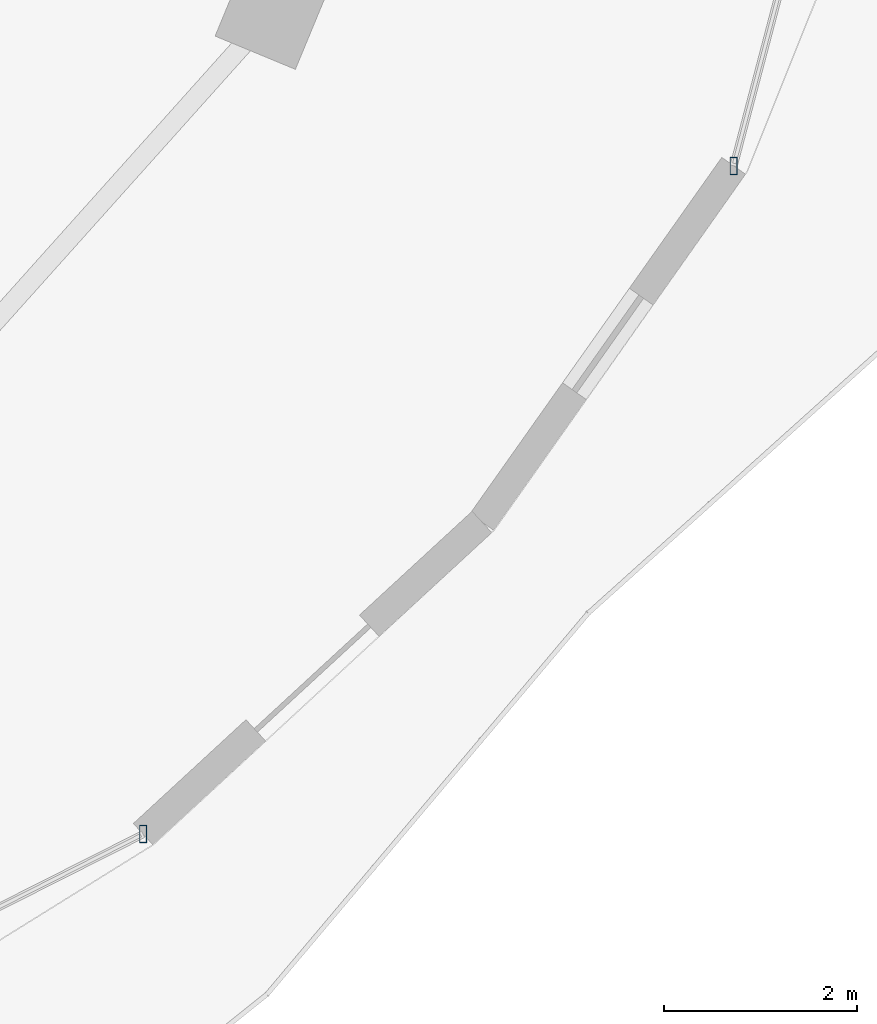
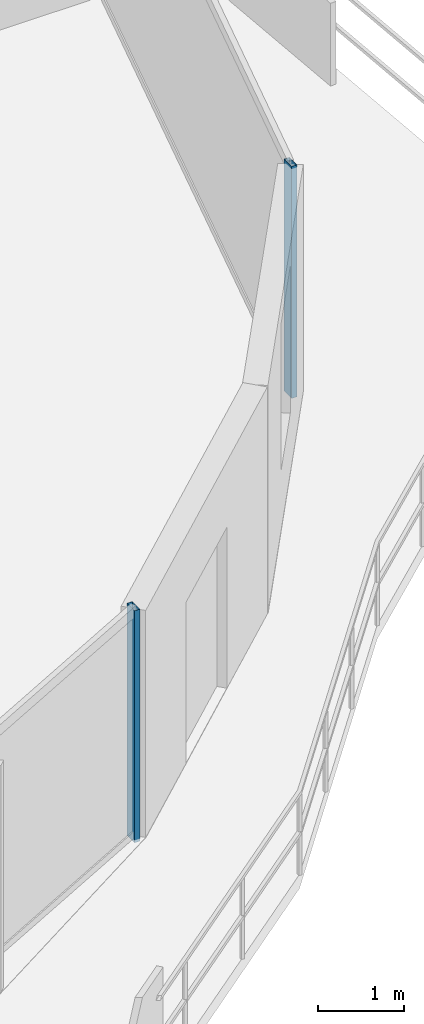
# One storey, part 13 of 31: 2 members, 2 elements without a shape of their own.
"""IFC4 building model written with IfcOpenShell, lengths in metres."""

from ifc_helpers import new_model, si_unit, direction, frame, origin, origin_2d, place, context, subcontext, project, spatial, hollow_rectangle, extrude, material, material_profile, profile_set, type_object, element, aggregate, save


model = new_model("IFC4")

# Units and contexts
model_context = context("Model", 3, precision=1e-05, world=origin(), true_north=direction((0.0, 1.0)))
body_context = subcontext(model_context, "Body", "Model", "MODEL_VIEW")
ifc_project = project(units=[si_unit("LENGTHUNIT", "METRE"), si_unit("AREAUNIT", "SQUARE_METRE"), si_unit("VOLUMEUNIT", "CUBIC_METRE"), si_unit("PLANEANGLEUNIT", "RADIAN"), si_unit("MASSUNIT", "GRAM", prefix="KILO")], contexts=[model_context])

# Site, building, storey
site_placement = place(None, origin())
site = spatial("IfcSite", under=ifc_project, at=site_placement, CompositionType="ELEMENT")
building_placement = place(site_placement, origin())
building = spatial("IfcBuilding", under=site, at=building_placement, Name="Vorneva Point Tower", CompositionType="ELEMENT")
storey_placement = place(building_placement, frame((0.0, 0.0, 193.10009765625)))
storey = spatial("IfcBuildingStorey", under=building, at=storey_placement, Name="L52", CompositionType="ELEMENT", Elevation=193.10009765625)

# Curtain wall, member
ifc_material = material(Name="Pale anodised aluminium", Category="aluminium")
curtain_wall_type = type_object("IfcCurtainWallType", Name="CW-RES-SYS", PredefinedType="NOTDEFINED", material=ifc_material)
curtain_wall_1_placement = place(storey_placement, origin())
curtain_wall_1 = element("IfcCurtainWall", 1, at=curtain_wall_1_placement, inside=storey, type_object=curtain_wall_type, Name="L52 Unitised Curtain Wall CW-L52-R01", PredefinedType="NOTDEFINED")
ifc_material_profile = material_profile(ifc_material, hollow_rectangle(XDim=0.074951171875, YDim=0.179931640625, WallThickness=0.00390625, at=origin_2d()), Name="AL-MUL 180x75x4")
ifc_profile_set = profile_set([ifc_material_profile], Name="Pale anodised aluminium")
member_type = type_object("IfcMemberType", Name="CW-MUL-180", PredefinedType="MULLION", material=ifc_profile_set)
member_1_placement = place(storey_placement, frame((64.0810546875, 17.82958984375, -0.0400390625), z_axis=(0.0, 0.0, 1.0), x_axis=(1.0, 0.0, 0.0)))
member_1 = element("IfcMember", 2, at=member_1_placement, type_object=member_type, Name="CW-L52-R01 Mullion 01", PredefinedType="MULLION", context=body_context, shape_type="SweptSolid", body=[
    extrude(hollow_rectangle(XDim=0.074951171875, YDim=0.179931640625, WallThickness=0.00390625, at=origin_2d()), origin(), (0.0, 0.0, 1.0), 3.31005859375),
])
aggregate(curtain_wall_1, [member_1])

curtain_wall_2_placement = place(storey_placement, origin())
curtain_wall_2 = element("IfcCurtainWall", 3, at=curtain_wall_2_placement, inside=storey, type_object=curtain_wall_type, Name="L52 Unitised Curtain Wall CW-L52-R04", PredefinedType="NOTDEFINED")
member_2_placement = place(storey_placement, frame((57.961669921875, 10.9033203125, -0.0400390625), z_axis=(0.0, 0.0, 1.0), x_axis=(1.0, 0.0, 0.0)))
member_2 = element("IfcMember", 4, at=member_2_placement, type_object=member_type, Name="CW-L52-R04 Mullion 05", PredefinedType="MULLION", context=body_context, shape_type="SweptSolid", body=[
    extrude(hollow_rectangle(XDim=0.074951171875, YDim=0.179931640625, WallThickness=0.00390625, at=origin_2d()), origin(), (0.0, 0.0, 1.0), 3.31005859375),
])
aggregate(curtain_wall_2, [member_2])

save(model, "model.ifc")
